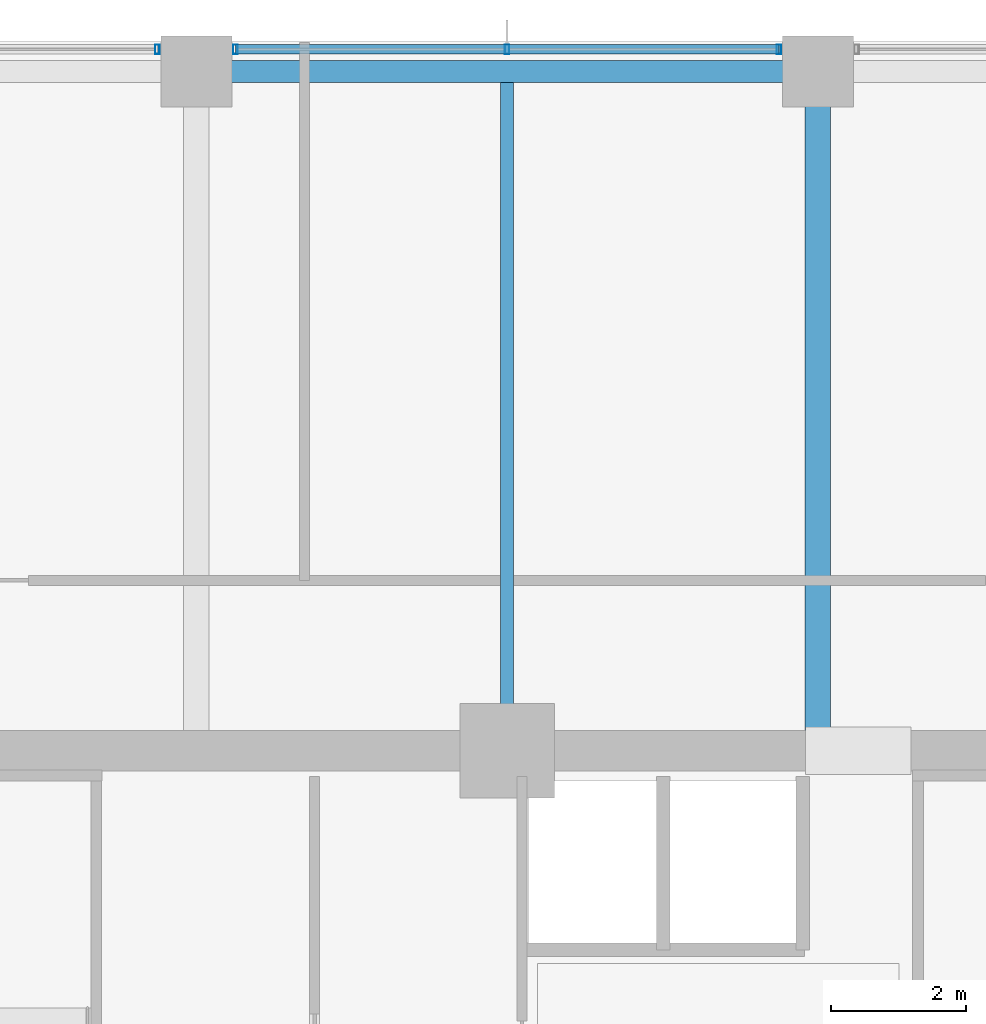
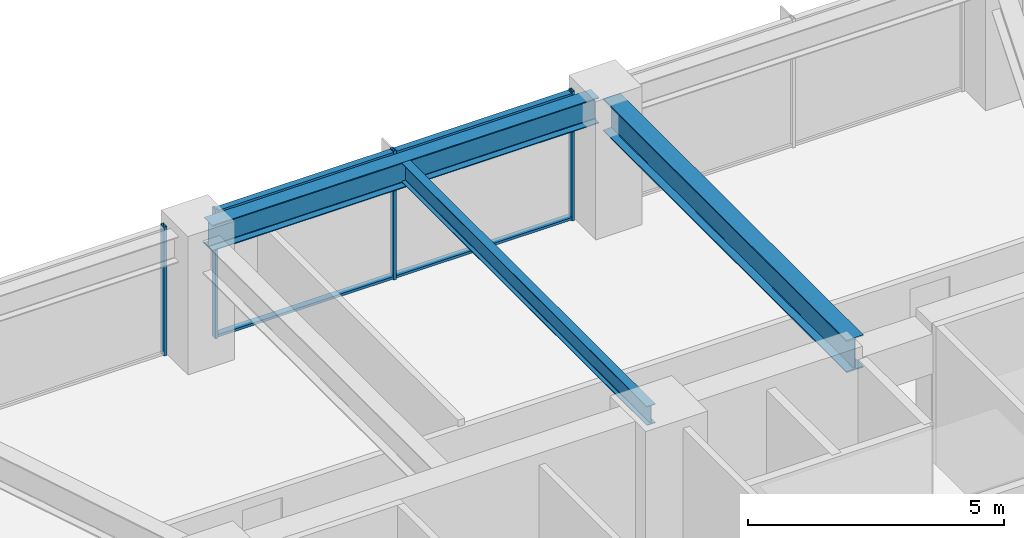
# One storey, part 21 of 36: 6 members, 3 beams, 2 elements without a shape of their own.
"""IFC4 building model written with IfcOpenShell, lengths in metres."""

from ifc_helpers import new_model, si_unit, direction, frame, origin, origin_2d, place, context, subcontext, project, spatial, hollow_rectangle, i_section, extrude, material, material_profile, profile_set, type_object, element, aggregate, save


model = new_model("IFC4")

# Units and contexts
model_context = context("Model", 3, precision=1e-05, world=origin(), true_north=direction((0.0, 1.0)))
body_context = subcontext(model_context, "Body", "Model", "MODEL_VIEW")
ifc_project = project(units=[si_unit("LENGTHUNIT", "METRE"), si_unit("AREAUNIT", "SQUARE_METRE"), si_unit("VOLUMEUNIT", "CUBIC_METRE"), si_unit("PLANEANGLEUNIT", "RADIAN"), si_unit("MASSUNIT", "GRAM", prefix="KILO")], contexts=[model_context])

# Site, building, storey
site_placement = place(None, origin())
site = spatial("IfcSite", under=ifc_project, at=site_placement, CompositionType="ELEMENT")
building_placement = place(site_placement, origin())
building = spatial("IfcBuilding", under=site, at=building_placement, Name="Kolvaren Belvedere", CompositionType="ELEMENT")
storey_placement = place(building_placement, frame((0.0, 0.0, 92.0)))
storey = spatial("IfcBuildingStorey", under=building, at=storey_placement, Name="L26", CompositionType="ELEMENT", Elevation=92.0)

# Beams
ifc_material_1 = material(Name="Structural steel ASTM A992 Grade 50", Category="steel")
ifc_material_profile_1 = material_profile(ifc_material_1, i_section(OverallWidth=0.381103515625, OverallDepth=0.77294921875, WebThickness=0.0166015625, FlangeThickness=0.027099609375, FilletRadius=0.02392578125, at=origin_2d()), Name="W30X173")
ifc_profile_set_1 = profile_set([ifc_material_profile_1], Name="Structural steel ASTM A992 Grade 50")
beam_type_1 = type_object("IfcBeamType", Name="BM-GIRD-W30X173", PredefinedType="BEAM", material=ifc_profile_set_1)
beam_1_placement = place(storey_placement, frame((4.60009765625, 10.199951171875, 2.693603515625), z_axis=(0.0, 1.0, 0.0), x_axis=(-1.0, 0.0, 0.0)))
element("IfcBeam", 1, at=beam_1_placement, inside=storey, type_object=beam_type_1, Name="L26 North Radial Girder P", PredefinedType="BEAM", context=body_context, shape_type="SweptSolid", body=[
    extrude(i_section(OverallWidth=0.381103515625, OverallDepth=0.77294921875, WebThickness=0.0166015625, FlangeThickness=0.027099609375, FilletRadius=0.02392578125, at=origin_2d()), origin(), (0.0, 0.0, 1.0), 9.513916015625),
])
ifc_material_2 = material(Name="Structural steel ASTM A992 Grade 50", Category="steel")
ifc_material_profile_2 = material_profile(ifc_material_2, i_section(OverallWidth=0.19091796875, OverallDepth=0.4599609375, WebThickness=0.010009765625, FlangeThickness=0.01611328125, FilletRadius=0.014892578125, at=origin_2d()), Name="W18X55")
ifc_profile_set_2 = profile_set([ifc_material_profile_2], Name="Structural steel ASTM A992 Grade 50")
beam_type_2 = type_object("IfcBeamType", Name="BM-JOIST-W18X55", PredefinedType="BEAM", material=ifc_profile_set_2)
beam_2_placement = place(storey_placement, frame((0.0, 10.199951171875, 2.85009765625), z_axis=(0.0, 1.0, 0.0), x_axis=(-1.0, 0.0, 0.0)))
element("IfcBeam", 2, at=beam_2_placement, inside=storey, type_object=beam_type_2, Name="L26 North Centre Floor Beam", PredefinedType="BEAM", context=body_context, shape_type="SweptSolid", body=[
    extrude(i_section(OverallWidth=0.19091796875, OverallDepth=0.4599609375, WebThickness=0.010009765625, FlangeThickness=0.01611328125, FilletRadius=0.014892578125, at=origin_2d()), origin(), (0.0, 0.0, 1.0), 9.587646484375),
])
ifc_material_3 = material(Name="Structural steel ASTM A992 Grade 50", Category="steel")
ifc_material_profile_3 = material_profile(ifc_material_3, i_section(OverallWidth=0.324951171875, OverallDepth=0.615966796875, WebThickness=0.013916015625, FlangeThickness=0.021484375, FilletRadius=0.02001953125, at=origin_2d()), Name="W24X117")
ifc_profile_set_3 = profile_set([ifc_material_profile_3], Name="Structural steel ASTM A992 Grade 50")
beam_type_3 = type_object("IfcBeamType", Name="BM-SPAN-W24X117", PredefinedType="SPANDREL", material=ifc_profile_set_3)
beam_3_placement = place(storey_placement, frame((4.36376953125, 19.949951171875, 2.77197265625), z_axis=(-1.0, 0.0, 0.0), x_axis=(0.0, -1.0, 0.0)))
element("IfcBeam", 3, at=beam_3_placement, inside=storey, type_object=beam_type_3, Name="L26 Perimeter Spandrel N3-N2", PredefinedType="SPANDREL", context=body_context, shape_type="SweptSolid", body=[
    extrude(i_section(OverallWidth=0.324951171875, OverallDepth=0.615966796875, WebThickness=0.013916015625, FlangeThickness=0.021484375, FilletRadius=0.02001953125, at=origin_2d()), origin(), (0.0, 0.0, 1.0), 8.7275390625),
])

# Curtain wall, member
ifc_material_4 = material(Name="Anodised pale-metal aluminium AA 6063-T6", Category="aluminium")
curtain_wall_type = type_object("IfcCurtainWallType", Name="CW-Z2-MID", PredefinedType="NOTDEFINED", material=ifc_material_4)
curtain_wall_1_placement = place(storey_placement, origin())
curtain_wall_1 = element("IfcCurtainWall", 4, at=curtain_wall_1_placement, inside=storey, type_object=curtain_wall_type, Name="L26 Unitised Curtain Wall FCW-L26-N-B1", PredefinedType="NOTDEFINED")
ifc_material_5 = material(Name="Anodised pale-metal aluminium AA 6063-T6", Category="aluminium")
ifc_material_profile_4 = material_profile(ifc_material_5, hollow_rectangle(XDim=0.06494140625, YDim=0.139892578125, WallThickness=0.00390625, at=origin_2d()), Name="ALU-MUL-140X65")
ifc_profile_set_4 = profile_set([ifc_material_profile_4], Name="Anodised pale-metal aluminium AA 6063-T6")
member_type_1 = type_object("IfcMemberType", Name="CW-MUL-140", PredefinedType="MULLION", material=ifc_profile_set_4)
member_1_placement = place(storey_placement, frame((-5.177490234375, 20.280029296875, 0.0), z_axis=(0.0, 0.0, 1.0), x_axis=(1.0, 0.0, 0.0)))
member_1 = element("IfcMember", 5, at=member_1_placement, type_object=member_type_1, Name="FCW-L26-N-B1 Unitised Mullion 3", PredefinedType="MULLION", context=body_context, shape_type="SweptSolid", body=[
    extrude(hollow_rectangle(XDim=0.06494140625, YDim=0.139892578125, WallThickness=0.00390625, at=origin_2d()), origin(), (0.0, 0.0, 1.0), 3.080078125),
])
aggregate(curtain_wall_1, [member_1])

# Curtain wall, members
curtain_wall_2_placement = place(storey_placement, origin())
curtain_wall_2 = element("IfcCurtainWall", 6, at=curtain_wall_2_placement, inside=storey, type_object=curtain_wall_type, Name="L26 Unitised Curtain Wall FCW-L26-N-B2", PredefinedType="NOTDEFINED")
member_2_placement = place(storey_placement, frame((-4.0224609375, 20.280029296875, 0.0), z_axis=(0.0, 0.0, 1.0), x_axis=(1.0, 0.0, 0.0)))
member_2 = element("IfcMember", 7, at=member_2_placement, type_object=member_type_1, Name="FCW-L26-N-B2 Unitised Mullion 1", PredefinedType="MULLION", context=body_context, shape_type="SweptSolid", body=[
    extrude(hollow_rectangle(XDim=0.06494140625, YDim=0.139892578125, WallThickness=0.00390625, at=origin_2d()), origin(), (0.0, 0.0, 1.0), 3.080078125),
])
member_3_placement = place(storey_placement, frame((0.0, 20.280029296875, 0.0), z_axis=(0.0, 0.0, 1.0), x_axis=(1.0, 0.0, 0.0)))
member_3 = element("IfcMember", 8, at=member_3_placement, type_object=member_type_1, Name="FCW-L26-N-B2 Unitised Mullion 2", PredefinedType="MULLION", context=body_context, shape_type="SweptSolid", body=[
    extrude(hollow_rectangle(XDim=0.06494140625, YDim=0.139892578125, WallThickness=0.00390625, at=origin_2d()), origin(), (0.0, 0.0, 1.0), 3.080078125),
])
member_4_placement = place(storey_placement, frame((4.0224609375, 20.280029296875, 0.0), z_axis=(0.0, 0.0, 1.0), x_axis=(1.0, 0.0, 0.0)))
member_4 = element("IfcMember", 9, at=member_4_placement, type_object=member_type_1, Name="FCW-L26-N-B2 Unitised Mullion 3", PredefinedType="MULLION", context=body_context, shape_type="SweptSolid", body=[
    extrude(hollow_rectangle(XDim=0.06494140625, YDim=0.139892578125, WallThickness=0.00390625, at=origin_2d()), origin(), (0.0, 0.0, 1.0), 3.080078125),
])
ifc_material_6 = material(Name="Anodised pale-metal aluminium AA 6063-T6", Category="aluminium")
ifc_material_profile_5 = material_profile(ifc_material_6, hollow_rectangle(XDim=0.06005859375, YDim=0.139892578125, WallThickness=0.00390625, at=origin_2d()), Name="ALU-TRN-140X60")
ifc_profile_set_5 = profile_set([ifc_material_profile_5], Name="Anodised pale-metal aluminium AA 6063-T6")
member_type_2 = type_object("IfcMemberType", Name="CW-TRN-140", PredefinedType="USERDEFINED", material=ifc_profile_set_5)
member_5_placement = place(storey_placement, frame((-4.0224609375, 20.280029296875, 0.06005859375), z_axis=(1.0, 0.0, 0.0), x_axis=(0.0, 0.0, 1.0)))
member_5 = element("IfcMember", 10, at=member_5_placement, type_object=member_type_2, Name="FCW-L26-N-B2 Sill Transom", ObjectType="TRANSOM", PredefinedType="USERDEFINED", context=body_context, shape_type="SweptSolid", body=[
    extrude(hollow_rectangle(XDim=0.06005859375, YDim=0.139892578125, WallThickness=0.00390625, at=origin_2d()), origin(), (0.0, 0.0, 1.0), 8.044921875),
])
member_6_placement = place(storey_placement, frame((-4.0224609375, 20.280029296875, 3.02001953125), z_axis=(1.0, 0.0, 0.0), x_axis=(0.0, 0.0, 1.0)))
member_6 = element("IfcMember", 11, at=member_6_placement, type_object=member_type_2, Name="FCW-L26-N-B2 Head Transom", ObjectType="TRANSOM", PredefinedType="USERDEFINED", context=body_context, shape_type="SweptSolid", body=[
    extrude(hollow_rectangle(XDim=0.06005859375, YDim=0.139892578125, WallThickness=0.00390625, at=origin_2d()), origin(), (0.0, 0.0, 1.0), 8.044921875),
])
aggregate(curtain_wall_2, [member_2, member_3, member_4, member_5, member_6])

save(model, "model.ifc")
